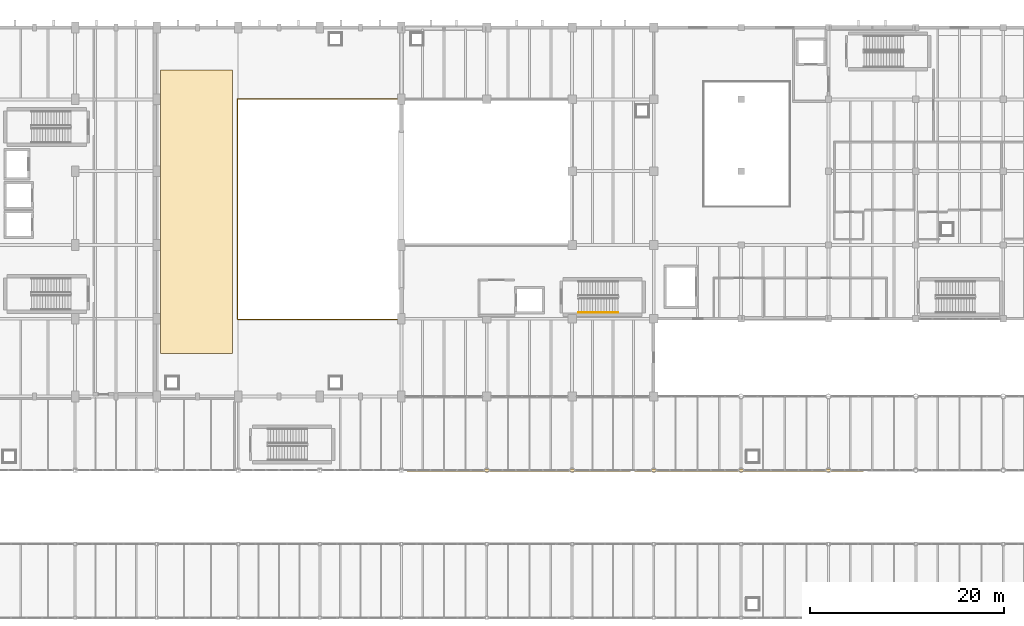
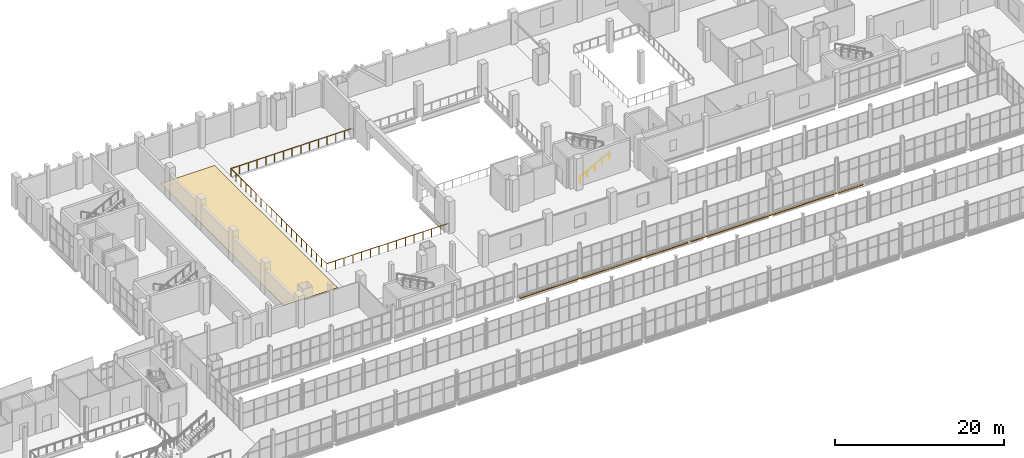
# One storey, part 167 of 172: 3 coverings, 2 railings.
"""IFC4 building model written with IfcOpenShell, lengths in metres."""

from ifc_helpers import new_model, si_unit, direction, frame, origin, origin_2d, place, context, subcontext, project, spatial, polyline, rectangle, circle, outline, extrude, material, layer, layer_set, type_object, element, save


model = new_model("IFC4")

# Units and contexts
model_context = context("Model", 3, precision=1e-05, world=origin(), true_north=direction((0.0, 1.0)))
body_context = subcontext(model_context, "Body", "Model", "MODEL_VIEW")
ifc_project = project(units=[si_unit("LENGTHUNIT", "METRE"), si_unit("AREAUNIT", "SQUARE_METRE"), si_unit("VOLUMEUNIT", "CUBIC_METRE"), si_unit("PLANEANGLEUNIT", "RADIAN"), si_unit("MASSUNIT", "GRAM", prefix="KILO")], contexts=[model_context])

# Site, building, storey
site_placement = place(None, origin())
site = spatial("IfcSite", under=ifc_project, at=site_placement, CompositionType="ELEMENT")
building_placement = place(site_placement, origin())
building = spatial("IfcBuilding", under=site, at=building_placement, Name="Shengluoqiao Park Theatre", CompositionType="ELEMENT")
storey_placement = place(building_placement, frame((0.0, 0.0, 5.39990234375)))
storey = spatial("IfcBuildingStorey", under=building, at=storey_placement, Name="L01", CompositionType="ELEMENT", Elevation=5.39990234375)

# Coverings
ifc_material_1 = material(Name="Anodised aluminium", Category="aluminium")
ifc_layer_1 = layer(ifc_material_1, 0.044921875, Name="Anodised aluminium")
ifc_layer_set_1 = layer_set([ifc_layer_1], Name="Anodised aluminium")
covering_type_1 = type_object("IfcCoveringType", Name="ENV-COV-CLAD1", PredefinedType="CLADDING", material=ifc_layer_set_1)
covering_1_placement = place(storey_placement, frame((98.5, 68.39990234375, -0.472412109375), z_axis=(0.0, 0.0, 1.0), x_axis=(1.0, 0.0, 0.0)))
element("IfcCovering", 1, at=covering_1_placement, inside=storey, type_object=covering_type_1, Name="Park-Court Bridge Soffit Cladding 01", PredefinedType="CLADDING", context=body_context, shape_type="SweptSolid", body=[
    extrude(rectangle(XDim=23.0, YDim=0.300048828125, at=origin_2d()), origin(), (0.0, 0.0, 1.0), 0.044921875),
])
covering_2_placement = place(storey_placement, frame((122.199951171875, 68.39990234375, -0.472412109375), z_axis=(0.0, 0.0, 1.0), x_axis=(1.0, 0.0, 0.0)))
element("IfcCovering", 2, at=covering_2_placement, inside=storey, type_object=covering_type_1, Name="Park-Court Bridge Soffit Cladding 02", PredefinedType="CLADDING", context=body_context, shape_type="SweptSolid", body=[
    extrude(rectangle(XDim=23.60009765625, YDim=0.300048828125, at=origin_2d()), origin(), (0.0, 0.0, 1.0), 0.044921875),
])
ifc_material_2 = material(Name="Engineered oak acoustic parquet", Category="wood")
ifc_layer_2 = layer(ifc_material_2, 0.034912109375, Name="Engineered oak acoustic parquet")
ifc_layer_set_2 = layer_set([ifc_layer_2], Name="Engineered oak acoustic parquet")
covering_type_2 = type_object("IfcCoveringType", Name="INT-COV-FLR2", PredefinedType="FLOORING", material=ifc_layer_set_2)
covering_3_placement = place(storey_placement, origin())
element("IfcCovering", 3, at=covering_3_placement, inside=storey, type_object=covering_type_2, Name="First Balcony Oak Acoustic Parquet", PredefinedType="FLOORING", context=body_context, shape_type="SweptSolid", body=[
    extrude(outline(polyline([(61.60009765625, 80.39990234375), (69.0, 80.39990234375), (69.0, 109.60009765625), (61.60009765625, 109.60009765625), (61.60009765625, 80.39990234375)])), origin(), (0.0, 0.0, 1.0), 0.03515625),
])

# Railings
ifc_material_3 = material(Name="Acoustic timber", Category="wood")
railing_type_1 = type_object("IfcRailingType", Name="INT-RL-BAL120", PredefinedType="BALUSTRADE", material=ifc_material_3)
railing_1_placement = place(storey_placement, frame((86.300048828125, 83.93994140625, 0.0)))
element("IfcRailing", 4, at=railing_1_placement, inside=storey, type_object=railing_type_1, Name="L01 First Balcony and Box Front Balustrade 0021", PredefinedType="BALUSTRADE", context=body_context, shape_type="SweptSolid", body=[
    extrude(circle(Radius=0.02392578125, at=origin_2d()), frame((0.0, 0.0, 1.17578125), z_axis=(-1.0, 0.0, 0.0), x_axis=(0.0, -1.0, 0.0)), (0.0, 0.0, 1.0), 16.760009765625),
    extrude(circle(Radius=0.02392578125, at=origin_2d()), frame((-16.760009765625, 0.0, 1.17578125), z_axis=(0.0, 1.0, 0.0), x_axis=(-1.0, 0.0, 0.0)), (0.0, 0.0, 1.0), 22.719970703125),
    extrude(circle(Radius=0.02392578125, at=origin_2d()), frame((-16.760009765625, 22.719970703125, 1.17578125), z_axis=(1.0, 0.0, 0.0), x_axis=(0.0, 1.0, 0.0)), (0.0, 0.0, 1.0), 16.760009765625),
    extrude(circle(Radius=0.02099609375, at=origin_2d()), origin(), (0.0, 0.0, 1.0), 1.15185546875),
    extrude(circle(Radius=0.02099609375, at=origin_2d()), frame((-1.197265625, 0.0, 0.0)), (0.0, 0.0, 1.0), 1.15185546875),
    extrude(circle(Radius=0.02099609375, at=origin_2d()), frame((-2.394287109375, 0.0, 0.0)), (0.0, 0.0, 1.0), 1.15185546875),
    extrude(circle(Radius=0.02099609375, at=origin_2d()), frame((-3.59130859375, 0.0, 0.0)), (0.0, 0.0, 1.0), 1.15185546875),
    extrude(circle(Radius=0.02099609375, at=origin_2d()), frame((-4.78857421875, 0.0, 0.0)), (0.0, 0.0, 1.0), 1.15185546875),
    extrude(circle(Radius=0.02099609375, at=origin_2d()), frame((-5.98583984375, 0.0, 0.0)), (0.0, 0.0, 1.0), 1.15185546875),
    extrude(circle(Radius=0.02099609375, at=origin_2d()), frame((-7.182861328125, 0.0, 0.0)), (0.0, 0.0, 1.0), 1.15185546875),
    extrude(circle(Radius=0.02099609375, at=origin_2d()), frame((-8.3798828125, 0.0, 0.0)), (0.0, 0.0, 1.0), 1.15185546875),
    extrude(circle(Radius=0.02099609375, at=origin_2d()), frame((-9.5771484375, 0.0, 0.0)), (0.0, 0.0, 1.0), 1.15185546875),
    extrude(circle(Radius=0.02099609375, at=origin_2d()), frame((-10.7744140625, 0.0, 0.0)), (0.0, 0.0, 1.0), 1.15185546875),
    extrude(circle(Radius=0.02099609375, at=origin_2d()), frame((-11.971435546875, 0.0, 0.0)), (0.0, 0.0, 1.0), 1.15185546875),
    extrude(circle(Radius=0.02099609375, at=origin_2d()), frame((-13.16845703125, 0.0, 0.0)), (0.0, 0.0, 1.0), 1.15185546875),
    extrude(circle(Radius=0.02099609375, at=origin_2d()), frame((-14.36572265625, 0.0, 0.0)), (0.0, 0.0, 1.0), 1.15185546875),
    extrude(circle(Radius=0.02099609375, at=origin_2d()), frame((-15.56298828125, 0.0, 0.0)), (0.0, 0.0, 1.0), 1.15185546875),
    extrude(circle(Radius=0.02099609375, at=origin_2d()), frame((-16.760009765625, 0.0, 0.0)), (0.0, 0.0, 1.0), 1.15185546875),
    extrude(circle(Radius=0.02099609375, at=origin_2d()), frame((-16.760009765625, 1.19580078125, 0.0)), (0.0, 0.0, 1.0), 1.15185546875),
    extrude(circle(Radius=0.02099609375, at=origin_2d()), frame((-16.760009765625, 2.3916015625, 0.0)), (0.0, 0.0, 1.0), 1.15185546875),
    extrude(circle(Radius=0.02099609375, at=origin_2d()), frame((-16.760009765625, 3.58740234375, 0.0)), (0.0, 0.0, 1.0), 1.15185546875),
    extrude(circle(Radius=0.02099609375, at=origin_2d()), frame((-16.760009765625, 4.783203125, 0.0)), (0.0, 0.0, 1.0), 1.15185546875),
    extrude(circle(Radius=0.02099609375, at=origin_2d()), frame((-16.760009765625, 5.97900390625, 0.0)), (0.0, 0.0, 1.0), 1.15185546875),
    extrude(circle(Radius=0.02099609375, at=origin_2d()), frame((-16.760009765625, 7.1748046875, 0.0)), (0.0, 0.0, 1.0), 1.15185546875),
    extrude(circle(Radius=0.02099609375, at=origin_2d()), frame((-16.760009765625, 8.37060546875, 0.0)), (0.0, 0.0, 1.0), 1.15185546875),
    extrude(circle(Radius=0.02099609375, at=origin_2d()), frame((-16.760009765625, 9.56640625, 0.0)), (0.0, 0.0, 1.0), 1.15185546875),
    extrude(circle(Radius=0.02099609375, at=origin_2d()), frame((-16.760009765625, 10.76220703125, 0.0)), (0.0, 0.0, 1.0), 1.15185546875),
    extrude(circle(Radius=0.02099609375, at=origin_2d()), frame((-16.760009765625, 11.957763671875, 0.0)), (0.0, 0.0, 1.0), 1.15185546875),
    extrude(circle(Radius=0.02099609375, at=origin_2d()), frame((-16.760009765625, 13.153564453125, 0.0)), (0.0, 0.0, 1.0), 1.15185546875),
    extrude(circle(Radius=0.02099609375, at=origin_2d()), frame((-16.760009765625, 14.349365234375, 0.0)), (0.0, 0.0, 1.0), 1.15185546875),
    extrude(circle(Radius=0.02099609375, at=origin_2d()), frame((-16.760009765625, 15.545166015625, 0.0)), (0.0, 0.0, 1.0), 1.15185546875),
    extrude(circle(Radius=0.02099609375, at=origin_2d()), frame((-16.760009765625, 16.740966796875, 0.0)), (0.0, 0.0, 1.0), 1.15185546875),
    extrude(circle(Radius=0.02099609375, at=origin_2d()), frame((-16.760009765625, 17.936767578125, 0.0)), (0.0, 0.0, 1.0), 1.15185546875),
    extrude(circle(Radius=0.02099609375, at=origin_2d()), frame((-16.760009765625, 19.132568359375, 0.0)), (0.0, 0.0, 1.0), 1.15185546875),
    extrude(circle(Radius=0.02099609375, at=origin_2d()), frame((-16.760009765625, 20.328369140625, 0.0)), (0.0, 0.0, 1.0), 1.15185546875),
    extrude(circle(Radius=0.02099609375, at=origin_2d()), frame((-16.760009765625, 21.524169921875, 0.0)), (0.0, 0.0, 1.0), 1.15185546875),
    extrude(circle(Radius=0.02099609375, at=origin_2d()), frame((-16.760009765625, 22.719970703125, 0.0)), (0.0, 0.0, 1.0), 1.15185546875),
    extrude(circle(Radius=0.02099609375, at=origin_2d()), frame((-15.56298828125, 22.719970703125, 0.0)), (0.0, 0.0, 1.0), 1.15185546875),
    extrude(circle(Radius=0.02099609375, at=origin_2d()), frame((-14.36572265625, 22.719970703125, 0.0)), (0.0, 0.0, 1.0), 1.15185546875),
    extrude(circle(Radius=0.02099609375, at=origin_2d()), frame((-13.16845703125, 22.719970703125, 0.0)), (0.0, 0.0, 1.0), 1.15185546875),
    extrude(circle(Radius=0.02099609375, at=origin_2d()), frame((-11.971435546875, 22.719970703125, 0.0)), (0.0, 0.0, 1.0), 1.15185546875),
    extrude(circle(Radius=0.02099609375, at=origin_2d()), frame((-10.7744140625, 22.719970703125, 0.0)), (0.0, 0.0, 1.0), 1.15185546875),
    extrude(circle(Radius=0.02099609375, at=origin_2d()), frame((-9.5771484375, 22.719970703125, 0.0)), (0.0, 0.0, 1.0), 1.15185546875),
    extrude(circle(Radius=0.02099609375, at=origin_2d()), frame((-8.3798828125, 22.719970703125, 0.0)), (0.0, 0.0, 1.0), 1.15185546875),
    extrude(circle(Radius=0.02099609375, at=origin_2d()), frame((-7.182861328125, 22.719970703125, 0.0)), (0.0, 0.0, 1.0), 1.15185546875),
    extrude(circle(Radius=0.02099609375, at=origin_2d()), frame((-5.98583984375, 22.719970703125, 0.0)), (0.0, 0.0, 1.0), 1.15185546875),
    extrude(circle(Radius=0.02099609375, at=origin_2d()), frame((-4.78857421875, 22.719970703125, 0.0)), (0.0, 0.0, 1.0), 1.15185546875),
    extrude(circle(Radius=0.02099609375, at=origin_2d()), frame((-3.59130859375, 22.719970703125, 0.0)), (0.0, 0.0, 1.0), 1.15185546875),
    extrude(circle(Radius=0.02099609375, at=origin_2d()), frame((-2.394287109375, 22.719970703125, 0.0)), (0.0, 0.0, 1.0), 1.15185546875),
    extrude(circle(Radius=0.02099609375, at=origin_2d()), frame((-1.197265625, 22.719970703125, 0.0)), (0.0, 0.0, 1.0), 1.15185546875),
    extrude(circle(Radius=0.02099609375, at=origin_2d()), frame((0.0, 22.719970703125, 0.0)), (0.0, 0.0, 1.0), 1.15185546875),
])
ifc_material_4 = material(Name="Stainless steel 304", Category="steel")
railing_type_2 = type_object("IfcRailingType", Name="INT-RL-STHR", PredefinedType="HANDRAIL", material=ifc_material_4)
railing_2_placement = place(storey_placement, frame((104.64990234375, 84.64990234375, 0.1533203125)))
element("IfcRailing", 5, at=railing_2_placement, inside=storey, type_object=railing_type_2, Name="L01 ST-05 stair handrail 1", PredefinedType="HANDRAIL", context=body_context, shape_type="SweptSolid", body=[
    extrude(circle(Radius=0.02392578125, at=origin_2d()), frame((0.0, 0.0, 0.8759765625), z_axis=(0.884032182968, 0.0, 0.46742603637), x_axis=(0.0, 1.0, 0.0)), (0.0, 0.0, 1.0), 4.5927734375),
    extrude(circle(Radius=0.02099609375, at=origin_2d()), origin(), (0.0, 0.0, 1.0), 0.851806640625),
    extrude(circle(Radius=0.02099609375, at=origin_2d()), frame((1.01513671875, 0.0, 0.53662109375)), (0.0, 0.0, 1.0), 0.851806640625),
    extrude(circle(Radius=0.02099609375, at=origin_2d()), frame((2.030029296875, 0.0, 1.0732421875)), (0.0, 0.0, 1.0), 0.851806640625),
    extrude(circle(Radius=0.02099609375, at=origin_2d()), frame((3.044921875, 0.0, 1.610107421875)), (0.0, 0.0, 1.0), 0.851806640625),
    extrude(circle(Radius=0.02099609375, at=origin_2d()), frame((4.06005859375, 0.0, 2.146728515625)), (0.0, 0.0, 1.0), 0.851806640625),
])

save(model, "model.ifc")
